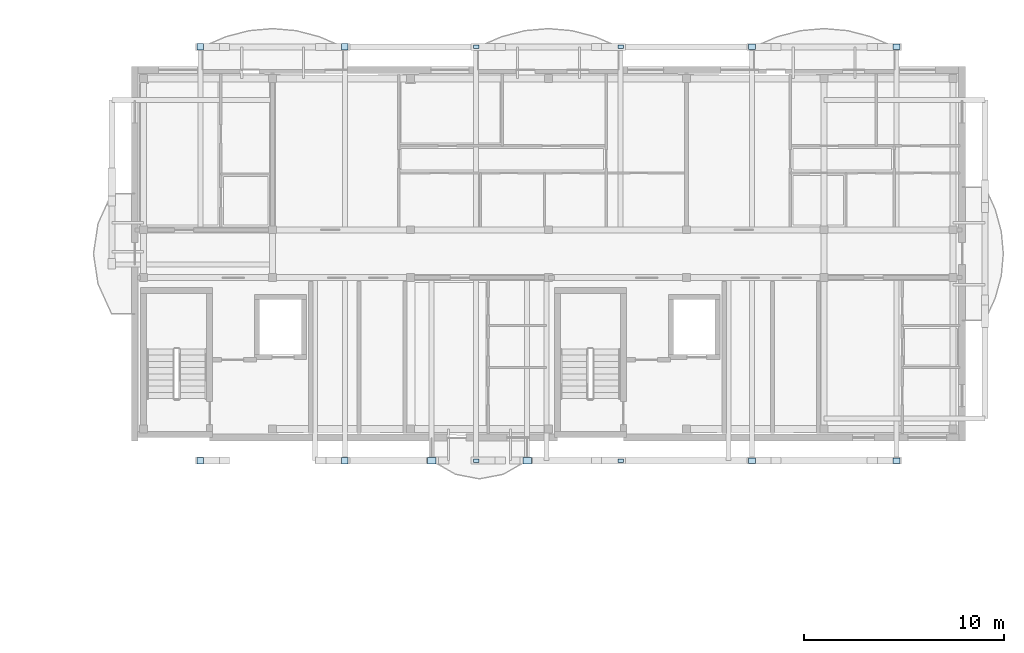
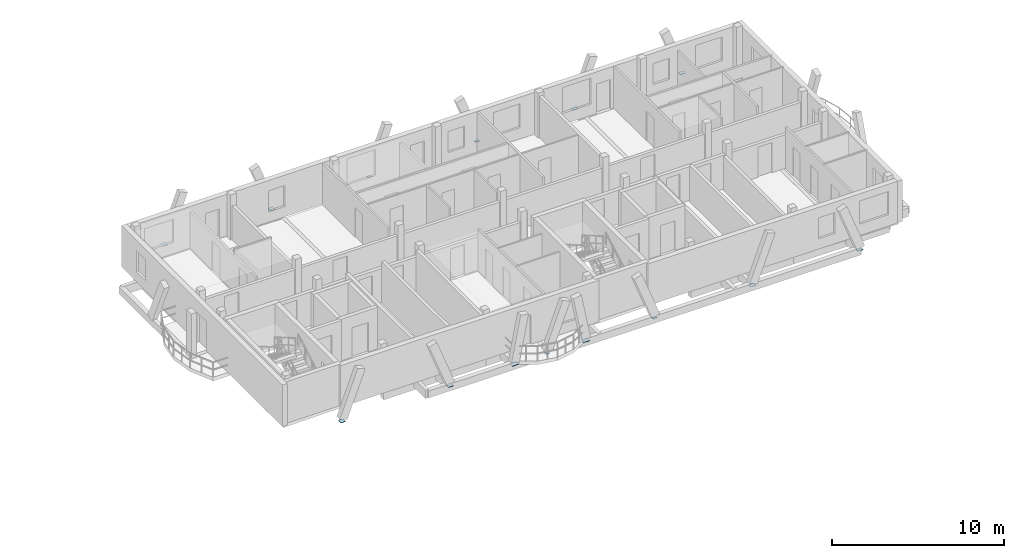
# One storey, part 12 of 33: 14 plates.
"""IFC4 building model written with IfcOpenShell, lengths in metres."""

from ifc_helpers import new_model, si_unit, direction, frame, origin, origin_2d, place, context, subcontext, project, spatial, rectangle, extrude, material, layer, layer_set, type_object, element, save


model = new_model("IFC4")

# Units and contexts
model_context = context("Model", 3, precision=1e-05, world=origin(), true_north=direction((0.0, 1.0)))
body_context = subcontext(model_context, "Body", "Model", "MODEL_VIEW")
ifc_project = project(units=[si_unit("LENGTHUNIT", "METRE"), si_unit("AREAUNIT", "SQUARE_METRE"), si_unit("VOLUMEUNIT", "CUBIC_METRE"), si_unit("PLANEANGLEUNIT", "RADIAN"), si_unit("MASSUNIT", "GRAM", prefix="KILO")], contexts=[model_context])

# Site, building, storey
site_placement = place(None, origin())
site = spatial("IfcSite", under=ifc_project, at=site_placement, CompositionType="ELEMENT")
building_placement = place(site_placement, origin())
building = spatial("IfcBuilding", under=site, at=building_placement, Name="Zavelmont Quarter", CompositionType="ELEMENT")
storey_placement = place(building_placement, frame((0.0, 0.0, 30.39990234375)))
storey = spatial("IfcBuildingStorey", under=building, at=storey_placement, Name="L09", CompositionType="ELEMENT", Elevation=30.39990234375)

# Plates
ifc_material = material(Name="Steel S355", Category="steel")
ifc_layer_1 = layer(ifc_material, 0.02001953125)
ifc_layer_set_1 = layer_set([ifc_layer_1], Name="Steel S355")
plate_type_1 = type_object("IfcPlateType", Name="NP01", PredefinedType="SHEET", material=ifc_layer_set_1)
for number, where, z_axis, x_axis, name in (
    (1, (143.68310546875, 117.162109375, -0.2099609375), (0.0, 0.0, 1.0), (1.0, 0.0, 0.0), "L09 steel connection plate NP01 at 21/S"),
    (2, (150.9169921875, 117.162109375, -0.2099609375), (0.0, 0.0, 1.0), (1.0, 0.0, 0.0), "L09 steel connection plate NP01 at 23/S"),
    (3, (143.68310546875, 96.43798828125, -0.2099609375), (0.0, 0.0, 1.0), (1.0, 0.0, 0.0), "L09 steel connection plate NP01 at 21/P"),
    (4, (150.9169921875, 96.43798828125, -0.2099609375), (0.0, 0.0, 1.0), (1.0, 0.0, 0.0), "L09 steel connection plate NP01 at 23/P"),
):
    element("IfcPlate", number, at=place(storey_placement, frame(where, z_axis=z_axis, x_axis=x_axis)), inside=storey, type_object=plate_type_1, Name=name, PredefinedType="SHEET", context=body_context, shape_type="SweptSolid", body=[
        extrude(rectangle(XDim=0.280029296875, YDim=0.179931640625, at=origin_2d()), origin(), (0.0, 0.0, 1.0), 0.02001953125),
    ])
ifc_layer_2 = layer(ifc_material, 0.02392578125)
ifc_layer_set_2 = layer_set([ifc_layer_2], Name="Steel S355")
plate_type_2 = type_object("IfcPlateType", Name="NP02", PredefinedType="SHEET", material=ifc_layer_set_2)
for number, where, z_axis, x_axis, name in (
    (5, (157.483154296875, 117.162109375, -0.2119140625), (0.0, 0.0, 1.0), (1.0, 0.0, 0.0), "L09 steel connection plate NP02 at 23/S"),
    (6, (164.716796875, 117.162109375, -0.2119140625), (0.0, 0.0, 1.0), (1.0, 0.0, 0.0), "L09 steel connection plate NP02 at 25/S"),
    (7, (157.483154296875, 96.43798828125, -0.2119140625), (0.0, 0.0, 1.0), (1.0, 0.0, 0.0), "L09 steel connection plate NP02 at 23/P"),
    (8, (164.716796875, 96.43798828125, -0.2119140625), (0.0, 0.0, 1.0), (1.0, 0.0, 0.0), "L09 steel connection plate NP02 at 25/P"),
):
    element("IfcPlate", number, at=place(storey_placement, frame(where, z_axis=z_axis, x_axis=x_axis)), inside=storey, type_object=plate_type_2, Name=name, PredefinedType="SHEET", context=body_context, shape_type="SweptSolid", body=[
        extrude(rectangle(XDim=0.360107421875, YDim=0.260009765625, at=origin_2d()), origin(), (0.0, 0.0, 1.0), 0.02392578125),
    ])
ifc_layer_3 = layer(ifc_material, 0.02490234375)
ifc_layer_set_3 = layer_set([ifc_layer_3], Name="Steel S355")
plate_type_3 = type_object("IfcPlateType", Name="NP03", PredefinedType="SHEET", material=ifc_layer_set_3)
for number, where, z_axis, x_axis, name in (
    (9, (141.45947265625, 96.43798828125, -0.21240234375), (0.0, 0.0, 1.0), (1.0, 0.0, 0.0), "L09 steel connection plate NP03 at 21/P"),
    (10, (146.240478515625, 96.43798828125, -0.21240234375), (0.0, 0.0, 1.0), (1.0, 0.0, 0.0), "L09 steel connection plate NP03 at 22/P"),
):
    element("IfcPlate", number, at=place(storey_placement, frame(where, z_axis=z_axis, x_axis=x_axis)), inside=storey, type_object=plate_type_3, Name=name, PredefinedType="SHEET", context=body_context, shape_type="SweptSolid", body=[
        extrude(rectangle(XDim=0.43994140625, YDim=0.320068359375, at=origin_2d()), origin(), (0.0, 0.0, 1.0), 0.02490234375),
    ])
ifc_layer_4 = layer(ifc_material, 0.02197265625)
ifc_layer_set_4 = layer_set([ifc_layer_4], Name="Steel S355")
plate_type_4 = type_object("IfcPlateType", Name="NP06", PredefinedType="SHEET", material=ifc_layer_set_4)
for number, where, z_axis, x_axis, name in (
    (11, (129.883056640625, 117.162109375, -0.2109375), (0.0, 0.0, 1.0), (1.0, 0.0, 0.0), "L09 steel connection plate NP06 at 19/S"),
    (12, (137.116943359375, 117.162109375, -0.2109375), (0.0, 0.0, 1.0), (1.0, 0.0, 0.0), "L09 steel connection plate NP06 at 21/S"),
    (13, (129.883056640625, 96.43798828125, -0.2109375), (0.0, 0.0, 1.0), (1.0, 0.0, 0.0), "L09 steel connection plate NP06 at 19/P"),
    (14, (137.116943359375, 96.43798828125, -0.2109375), (0.0, 0.0, 1.0), (1.0, 0.0, 0.0), "L09 steel connection plate NP06 at 21/P"),
):
    element("IfcPlate", number, at=place(storey_placement, frame(where, z_axis=z_axis, x_axis=x_axis)), inside=storey, type_object=plate_type_4, Name=name, PredefinedType="SHEET", context=body_context, shape_type="SweptSolid", body=[
        extrude(rectangle(XDim=0.320068359375, YDim=0.320068359375, at=origin_2d()), origin(), (0.0, 0.0, 1.0), 0.02197265625),
    ])

save(model, "model.ifc")
